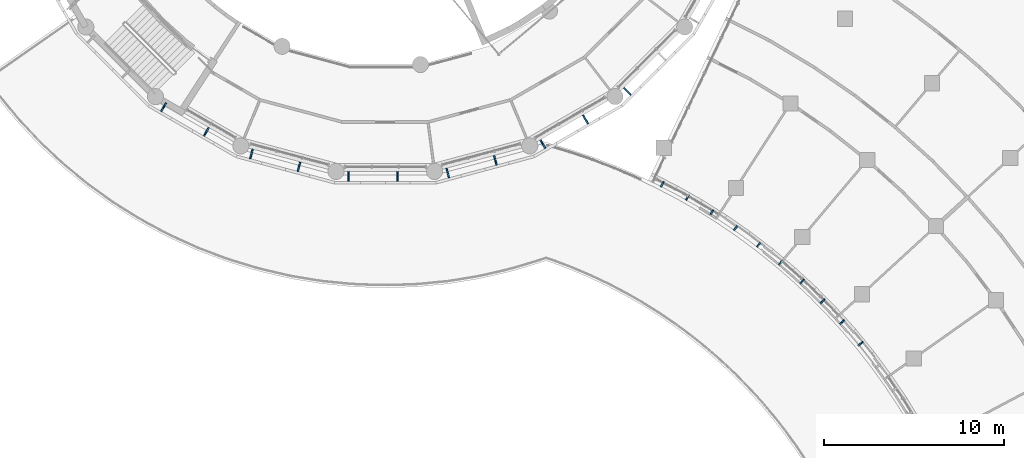
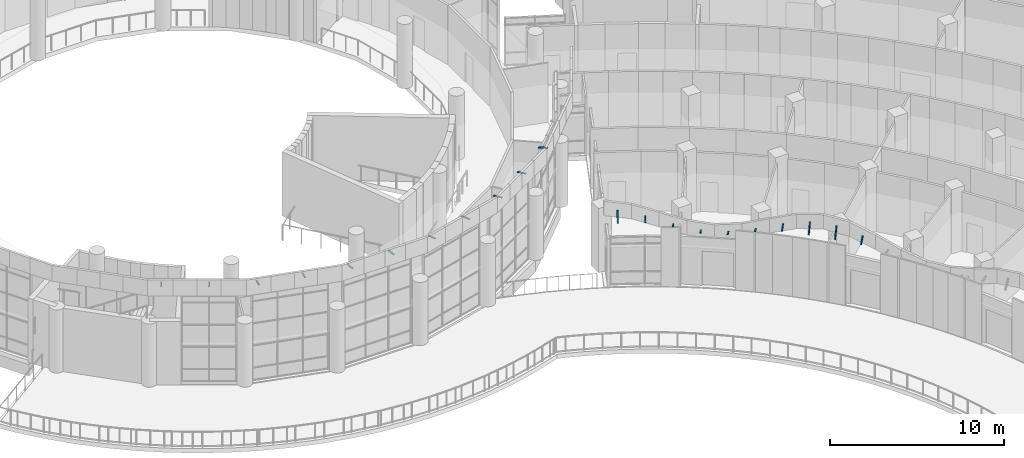
# One storey, part 100 of 136: 21 discrete accessories.
"""IFC4 building model written with IfcOpenShell, lengths in metres."""

from ifc_helpers import new_model, si_unit, direction, frame, origin, origin_2d, place, context, subcontext, project, spatial, rectangle, extrude, material, material_profile, profile_set, type_object, element, save


model = new_model("IFC4")

# Units and contexts
model_context = context("Model", 3, precision=1e-05, world=origin(), true_north=direction((0.0, 1.0)))
body_context = subcontext(model_context, "Body", "Model", "MODEL_VIEW")
ifc_project = project(units=[si_unit("LENGTHUNIT", "METRE"), si_unit("AREAUNIT", "SQUARE_METRE"), si_unit("VOLUMEUNIT", "CUBIC_METRE"), si_unit("PLANEANGLEUNIT", "RADIAN"), si_unit("MASSUNIT", "GRAM", prefix="KILO")], contexts=[model_context])

# Site, building, storey
site_placement = place(None, origin())
site = spatial("IfcSite", under=ifc_project, at=site_placement, CompositionType="ELEMENT")
building_placement = place(site_placement, origin())
building = spatial("IfcBuilding", under=site, at=building_placement, Name="Bougainvillea Quay General Hospital", CompositionType="ELEMENT")
storey_placement = place(building_placement, frame((0.0, 0.0, 5.39990234375)))
storey = spatial("IfcBuildingStorey", under=building, at=storey_placement, Name="L01", CompositionType="ELEMENT", Elevation=5.39990234375)

# Discrete accessories
ifc_material = material(Name="Stainless steel bracket, grade 316", Category="steel")
ifc_material_profile = material_profile(ifc_material, rectangle(XDim=0.080078125, YDim=0.050048828125, at=origin_2d()))
ifc_profile_set = profile_set([ifc_material_profile], Name="Stainless steel bracket, grade 316")
discrete_accessory_type = type_object("IfcDiscreteAccessoryType", Name="Stainless steel stand-off bracket 80x50", PredefinedType="BRACKET", material=ifc_profile_set)
discrete_accessory_1_placement = place(storey_placement, frame((124.541015625, 52.33203125, 4.440185546875), z_axis=(0.175449926491, 0.347099493563, 0.921270462385), x_axis=(-0.892464349263, 0.451117928368, 0.0)))
element("IfcDiscreteAccessory", 1, at=discrete_accessory_1_placement, inside=storey, type_object=discrete_accessory_type, Name="Fascia bracket a21 1", PredefinedType="BRACKET", context=body_context, shape_type="SweptSolid", body=[
    extrude(rectangle(XDim=0.080078125, YDim=0.050048828125, at=origin_2d()), origin(), (0.0, 0.0, 1.0), 0.77099609375),
])
discrete_accessory_2_placement = place(storey_placement, frame((125.931640625, 51.587646484375, 4.440185546875), z_axis=(0.357513939622, 0.631706448688, 0.68784500119), x_axis=(-0.870289777735, 0.492540051945, 0.0)))
element("IfcDiscreteAccessory", 2, at=discrete_accessory_2_placement, inside=storey, type_object=discrete_accessory_type, Name="Fascia bracket a21 2", PredefinedType="BRACKET", context=body_context, shape_type="SweptSolid", body=[
    extrude(rectangle(XDim=0.080078125, YDim=0.050048828125, at=origin_2d()), origin(), (0.0, 0.0, 1.0), 0.4130859375),
])
for number, where, z_axis, x_axis, name in (
    (3, (127.286376953125, 50.779541015625, 4.17529296875), (0.532338235015, 0.846531749872, 0.0), (-0.846531749872, 0.532338235015, 0.0), "Fascia bracket a21 3"),
    (4, (128.60205078125, 49.909423828125, 3.804443359375), (0.570563582873, 0.821253430982, 0.0), (-0.821253430982, 0.570563582873, 0.0), "Fascia bracket a21 4"),
):
    element("IfcDiscreteAccessory", number, at=place(storey_placement, frame(where, z_axis=z_axis, x_axis=x_axis)), inside=storey, type_object=discrete_accessory_type, Name=name, PredefinedType="BRACKET", context=body_context, shape_type="SweptSolid", body=[
        extrude(rectangle(XDim=0.080078125, YDim=0.050048828125, at=origin_2d()), origin(), (0.0, 0.0, 1.0), 0.300048828125),
    ])
for number, where, z_axis, x_axis, name in (
    (5, (129.8759765625, 48.979248046875, 3.81591796875), (0.60817512943, 0.793802879778, 0.0), (-0.793802879778, 0.60817512943, 0.0), "Fascia bracket a21 5"),
    (6, (131.10546875, 47.990966796875, 4.203125), (0.644737187245, 0.764404316696, 0.0), (-0.764404316696, 0.644737187245, 0.0), "Fascia bracket a21 6"),
):
    element("IfcDiscreteAccessory", number, at=place(storey_placement, frame(where, z_axis=z_axis, x_axis=x_axis)), inside=storey, type_object=discrete_accessory_type, Name=name, PredefinedType="BRACKET", context=body_context, shape_type="SweptSolid", body=[
        extrude(rectangle(XDim=0.080078125, YDim=0.050048828125, at=origin_2d()), origin(), (0.0, 0.0, 1.0), 0.2998046875),
    ])
discrete_accessory_3_placement = place(storey_placement, frame((132.28759765625, 46.946533203125, 4.440185546875), z_axis=(0.469762479892, 0.507455996243, 0.722365298421), x_axis=(-0.733835777101, 0.679326911175, 0.0)))
element("IfcDiscreteAccessory", 7, at=discrete_accessory_3_placement, inside=storey, type_object=discrete_accessory_type, Name="Fascia bracket a21 7", PredefinedType="BRACKET", context=body_context, shape_type="SweptSolid", body=[
    extrude(rectangle(XDim=0.080078125, YDim=0.050048828125, at=origin_2d()), origin(), (0.0, 0.0, 1.0), 0.433837890625),
])
discrete_accessory_4_placement = place(storey_placement, frame((133.420166015625, 45.8486328125, 4.440185546875), z_axis=(0.272406052198, 0.268358876565, 0.924001329055), x_axis=(-0.7017950207, 0.712378936326, 0.0)))
element("IfcDiscreteAccessory", 8, at=discrete_accessory_4_placement, inside=storey, type_object=discrete_accessory_type, Name="Fascia bracket a21 8", PredefinedType="BRACKET", context=body_context, shape_type="SweptSolid", body=[
    extrude(rectangle(XDim=0.080078125, YDim=0.050048828125, at=origin_2d()), origin(), (0.0, 0.0, 1.0), 0.7841796875),
])
discrete_accessory_5_placement = place(storey_placement, frame((134.50048828125, 44.69921875, 4.440185546875), z_axis=(0.270152542107, 0.242399166197, 0.931804833761), x_axis=(-0.667840421065, 0.744304488763, 0.0)))
element("IfcDiscreteAccessory", 9, at=discrete_accessory_5_placement, inside=storey, type_object=discrete_accessory_type, Name="Fascia bracket a21 9", PredefinedType="BRACKET", context=body_context, shape_type="SweptSolid", body=[
    extrude(rectangle(XDim=0.080078125, YDim=0.050048828125, at=origin_2d()), origin(), (0.0, 0.0, 1.0), 0.826904296875),
])
discrete_accessory_6_placement = place(storey_placement, frame((135.5263671875, 43.5009765625, 4.440185546875), z_axis=(0.445980506025, 0.364467262276, 0.817474772072), x_axis=(-0.632794767271, 0.774319560979, 0.0)))
element("IfcDiscreteAccessory", 10, at=discrete_accessory_6_placement, inside=storey, type_object=discrete_accessory_type, Name="Fascia bracket a21 10", PredefinedType="BRACKET", context=body_context, shape_type="SweptSolid", body=[
    extrude(rectangle(XDim=0.080078125, YDim=0.050048828125, at=origin_2d()), origin(), (0.0, 0.0, 1.0), 0.521240234375),
])
discrete_accessory_7_placement = place(storey_placement, frame((97.009521484375, 56.997314453125, 7.14013671875), z_axis=(-0.496909065825, -0.860985424, 0.108560950438), x_axis=(0.866104278045, -0.499863360881, 0.0)))
element("IfcDiscreteAccessory", 11, at=discrete_accessory_7_placement, inside=storey, type_object=discrete_accessory_type, Name="Fascia bracket e0 15", PredefinedType="BRACKET", context=body_context, shape_type="SweptSolid", body=[
    extrude(rectangle(XDim=0.080078125, YDim=0.050048828125, at=origin_2d()), origin(), (0.0, 0.0, 1.0), 0.55322265625),
])
discrete_accessory_8_placement = place(storey_placement, frame((99.383544921875, 55.626953125, 7.14013671875), z_axis=(-0.497241294851, -0.860796598273, 0.108537141556), x_axis=(0.865912065108, -0.500196256984, 0.0)))
element("IfcDiscreteAccessory", 12, at=discrete_accessory_8_placement, inside=storey, type_object=discrete_accessory_type, Name="Fascia bracket e0 17", PredefinedType="BRACKET", context=body_context, shape_type="SweptSolid", body=[
    extrude(rectangle(XDim=0.080078125, YDim=0.050048828125, at=origin_2d()), origin(), (0.0, 0.0, 1.0), 0.553466796875),
])
for number, where, z_axis, x_axis, name in (
    (13, (101.825927734375, 54.421630859375, 7.14013671875), (-0.257265896735, -0.96022399879, 0.108554735157), (0.965932200741, -0.258795254151, 0.0), "Fascia bracket e0 19"),
    (14, (104.473388671875, 53.712158203125, 7.14013671875), (-0.257265896735, -0.96022399879, 0.108554735157), (0.965932200741, -0.258795254151, 0.0), "Fascia bracket e0 21"),
    (15, (107.144287109375, 53.179931640625, 7.14013671875), (0.0, -0.994091793559, 0.108542645901), (1.0, 0.0, 0.0), "Fascia bracket e0 23"),
    (16, (109.88525390625, 53.179931640625, 7.14013671875), (0.0, -0.994091793559, 0.108542645901), (1.0, 0.0, 0.0), "Fascia bracket e0 25"),
    (17, (112.602783203125, 53.357421875, 7.14013671875), (0.257677899542, -0.960114913363, 0.108542402889), (0.965821158526, 0.259209355046, 0.0), "Fascia bracket e0 27"),
    (18, (115.25048828125, 54.06689453125, 7.14013671875), (0.257265896735, -0.96022399879, 0.108554735157), (0.965932200741, 0.258795254151, 0.0), "Fascia bracket e0 29"),
    (19, (117.82958984375, 54.941650390625, 7.14013671875), (0.496909065825, -0.860985424, 0.108560950438), (0.866104278045, 0.499863360881, 0.0), "Fascia bracket e0 31"),
    (20, (120.20361328125, 56.31201171875, 7.14013671875), (0.496909065825, -0.860985424, 0.108560950438), (0.866104278045, 0.499863360881, 0.0), "Fascia bracket e0 33"),
    (21, (122.468505859375, 57.824462890625, 7.14013671875), (0.702928468265, -0.702928468265, 0.108550158941), (0.707106781187, 0.707106781187, 0.0), "Fascia bracket e0 35"),
):
    element("IfcDiscreteAccessory", number, at=place(storey_placement, frame(where, z_axis=z_axis, x_axis=x_axis)), inside=storey, type_object=discrete_accessory_type, Name=name, PredefinedType="BRACKET", context=body_context, shape_type="SweptSolid", body=[
        extrude(rectangle(XDim=0.080078125, YDim=0.050048828125, at=origin_2d()), origin(), (0.0, 0.0, 1.0), 0.55322265625),
    ])

save(model, "model.ifc")
